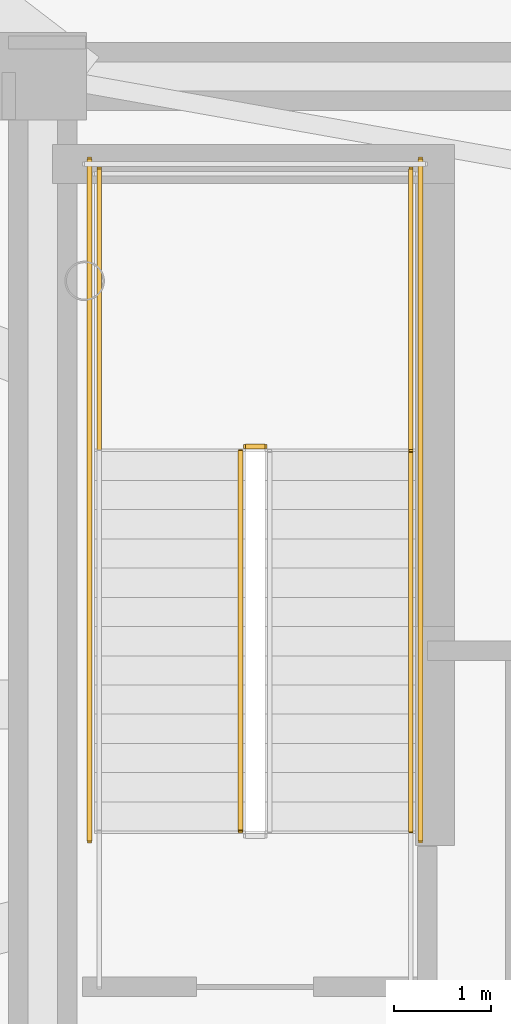
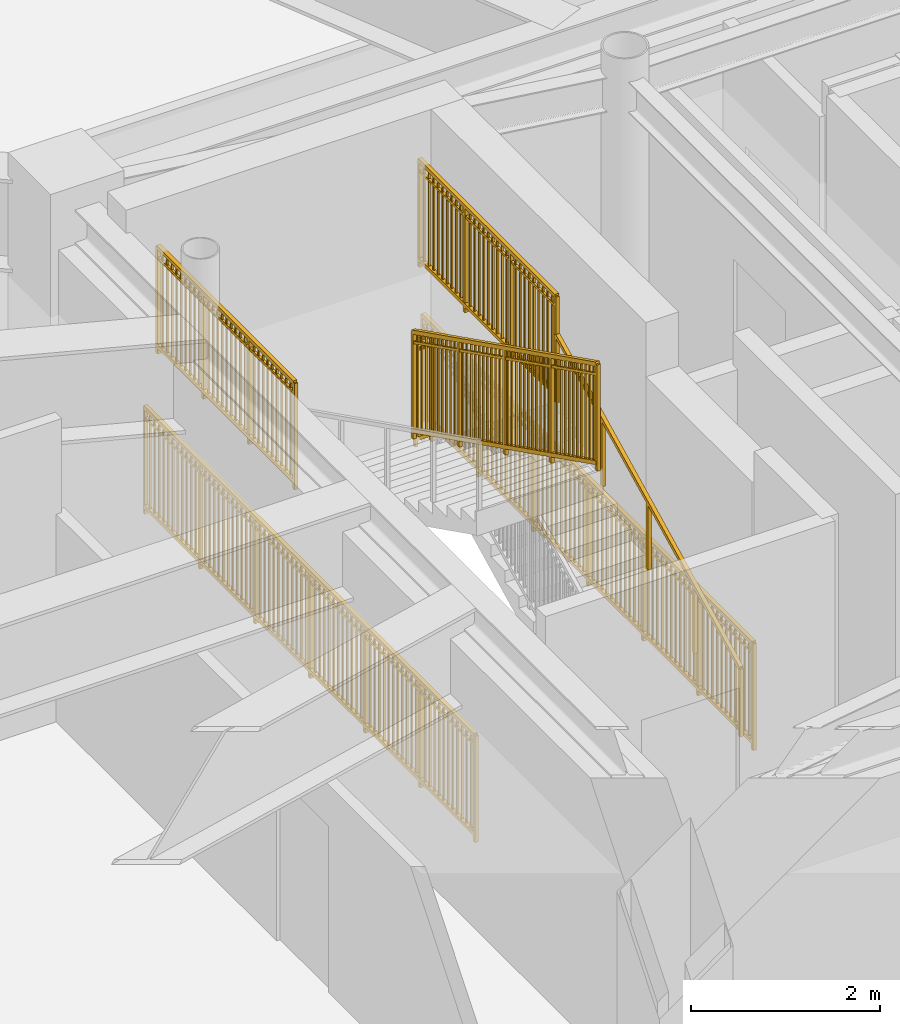
# One storey, part 24 of 26: 7 railings.
"""IFC4 building model written with IfcOpenShell, lengths in metres."""

import ifcopenshell
import ifcopenshell.guid

model = None  # the IFC model being written
_history = None  # IfcOwnerHistory: only IFC2X3 demands one
_inside = {}  # id of a spatial element -> (the spatial element, [elements in it])
_under = {}  # id of a project, library or spatial element -> (it, [spatial elements below it])
_declared = {}  # id of a project -> (the project, [libraries it declares])
_typed = {}  # id of a type object -> (the type object, [elements of that type])
_made_of = {}  # id of a material, layer set ... -> (it, [elements and type objects made of it])


def new_model(schema):
    """Start an empty IFC model of exactly this schema.

    Asked for "IFC4X3", IfcOpenShell would pick the latest addendum, in which some entities
    have other attributes; the version numbers below select the first issue.
    IFC2X3 requires an IfcOwnerHistory on every rooted entity: one is made here for all.
    """
    global model, _history
    if schema == "IFC4X3":
        model = ifcopenshell.file(schema_version=(4, 3, 0, 0))
    else:
        model = ifcopenshell.file(schema=schema)
    _inside.clear()
    _under.clear()
    _declared.clear()
    _typed.clear()
    _made_of.clear()
    _history = None
    if model.schema == "IFC2X3":
        org = make("IfcOrganization", Name="unknown")
        user = make(
            "IfcPersonAndOrganization",
            ThePerson=make("IfcPerson", FamilyName="unknown"),
            TheOrganization=org,
        )
        app = make(
            "IfcApplication",
            ApplicationDeveloper=org,
            Version="unknown",
            ApplicationFullName="unknown",
            ApplicationIdentifier="unknown",
        )
        _history = make(
            "IfcOwnerHistory",
            OwningUser=user,
            OwningApplication=app,
            ChangeAction="ADDED",
            CreationDate=0,
        )
    return model


def make(cls, **values):
    """One entity of the class cls with the attributes given. An attribute that is None is left unset."""
    return model.create_entity(
        cls, **{name: value for name, value in values.items() if value is not None}
    )


def rooted(cls, **values):
    """An entity with a GlobalId (a new one), such as an element, a storey or a relation."""
    return make(cls, GlobalId=ifcopenshell.guid.new(), OwnerHistory=_history, **values)


def si_unit(unit_type, name, prefix=None):
    """IfcSIUnit, for example si_unit("LENGTHUNIT", "METRE", prefix="MILLI")."""
    return make("IfcSIUnit", UnitType=unit_type, Prefix=prefix, Name=name)


def assignment(units):
    """IfcUnitAssignment: the units of a project."""
    return None if units is None else make("IfcUnitAssignment", Units=units)


def point(xyz):
    """IfcCartesianPoint."""
    return None if xyz is None else make("IfcCartesianPoint", Coordinates=xyz)


def direction(xyz):
    """IfcDirection."""
    return None if xyz is None else make("IfcDirection", DirectionRatios=xyz)


def frame(location, z_axis=None, x_axis=None):
    """IfcAxis2Placement3D, a coordinate frame: its origin and axes. An axis left out is left unset."""
    return make(
        "IfcAxis2Placement3D",
        Location=point(location),
        Axis=direction(z_axis),
        RefDirection=direction(x_axis),
    )


def frame_2d(location, x_axis=None):
    """IfcAxis2Placement2D, a coordinate frame in the plane: its origin and x axis."""
    return make(
        "IfcAxis2Placement2D", Location=point(location), RefDirection=direction(x_axis)
    )


def origin():
    """The frame at (0, 0, 0) with its axes left unset."""
    return frame((0.0, 0.0, 0.0))


def origin_2d():
    """The frame at (0, 0) in the plane with its x axis left unset."""
    return frame_2d((0.0, 0.0))


def place(relative_to, where):
    """IfcLocalPlacement: puts the frame where relative to a parent placement (None: the world)."""
    return make(
        "IfcLocalPlacement", PlacementRelTo=relative_to, RelativePlacement=where
    )


def context(
    kind, dimensions, precision=None, world=None, true_north=None, identifier=None
):
    """IfcGeometricRepresentationContext, for example the 3D "Model" context."""
    return make(
        "IfcGeometricRepresentationContext",
        ContextIdentifier=identifier,
        ContextType=kind,
        CoordinateSpaceDimension=dimensions,
        Precision=precision,
        WorldCoordinateSystem=world,
        TrueNorth=true_north,
    )


def subcontext(parent, identifier, kind, view, scale=None):
    """IfcGeometricRepresentationSubContext, for example "Body" below "Model"."""
    return make(
        "IfcGeometricRepresentationSubContext",
        ContextIdentifier=identifier,
        ContextType=kind,
        ParentContext=parent,
        TargetScale=scale,
        TargetView=view,
    )


def project(units=None, contexts=None):
    """IfcProject with its units and contexts."""
    return rooted(
        "IfcProject",
        Name="project",
        RepresentationContexts=contexts,
        UnitsInContext=assignment(units),
    )


def spatial(cls, under=None, at=None, **own):
    """A site, building, storey or space (cls), placed at a placement, below another one or the project."""
    s = rooted(cls, ObjectPlacement=at, **own)
    if under is not None:
        _under.setdefault(under.id(), (under, []))[1].append(s)
    return s


def profile(cls, at=None, kind="AREA", **sizes):
    """A parametric profile (cls). Its sizes go by their IFC names, for example OverallWidth=200.0."""
    return make(cls, ProfileType=kind, Position=at, **sizes)


def rectangle(**sizes):
    """IfcRectangleProfileDef."""
    return profile("IfcRectangleProfileDef", **sizes)


def extrude(swept, where, along, depth):
    """IfcExtrudedAreaSolid: the profile swept, set in the frame where, extruded along a direction by depth."""
    return make(
        "IfcExtrudedAreaSolid",
        SweptArea=swept,
        Position=where,
        ExtrudedDirection=direction(along),
        Depth=depth,
    )


def shape(context_of_items, identifier, shape_type, items):
    """IfcShapeRepresentation: the items that make up one representation, for example the "Body"."""
    return make(
        "IfcShapeRepresentation",
        ContextOfItems=context_of_items,
        RepresentationIdentifier=identifier,
        RepresentationType=shape_type,
        Items=items,
    )


def source(mapping_origin, context_of_items, identifier, shape_type, items):
    """IfcRepresentationMap: a shape defined once, which mapped items show again and again."""
    return make(
        "IfcRepresentationMap",
        MappingOrigin=mapping_origin,
        MappedRepresentation=shape(context_of_items, identifier, shape_type, items),
    )


def transform(
    local_origin,
    x_axis=None,
    y_axis=None,
    z_axis=None,
    scale=None,
    scale2=None,
    scale3=None,
    uniform=True,
):
    """IfcCartesianTransformationOperator3D, or its non-uniform kind. x_axis, y_axis, z_axis: its Axis1, 2, 3."""
    if uniform:
        return make(
            "IfcCartesianTransformationOperator3D",
            Axis1=direction(x_axis),
            Axis2=direction(y_axis),
            LocalOrigin=point(local_origin),
            Scale=scale,
            Axis3=direction(z_axis),
        )
    return make(
        "IfcCartesianTransformationOperator3DnonUniform",
        Axis1=direction(x_axis),
        Axis2=direction(y_axis),
        LocalOrigin=point(local_origin),
        Scale=scale,
        Axis3=direction(z_axis),
        Scale2=scale2,
        Scale3=scale3,
    )


def mapped(mapping_source, mapping_target):
    """IfcMappedItem: shows the shape of a source again, moved by a transform."""
    return make(
        "IfcMappedItem", MappingSource=mapping_source, MappingTarget=mapping_target
    )


def material(Name=None, Category=None):
    """IfcMaterial."""
    return make("IfcMaterial", Name=Name, Category=Category)


def made_of(thing, what):
    """Note that an element or type object is made of a material, layer set ...; save() writes the relation."""
    if what is not None:
        _made_of.setdefault(what.id(), (what, []))[1].append(thing)
    return thing


def type_object(cls, material=None, **own):
    """A type object (cls), such as IfcWallType, which elements share."""
    return made_of(rooted(cls, **own), material)


def element(
    cls,
    number,
    at=None,
    inside=None,
    cuts=None,
    type_object=None,
    material=None,
    context=None,
    identifier="Body",
    shape_type=None,
    held_by="IfcProductDefinitionShape",
    body=None,
    shapes=None,
    **own,
):
    """One element of the class cls, such as IfcWall. Its Tag is "e" and its number.

    at: its placement. inside: the storey or other place that contains it. cuts: it is an
    opening in that element (IfcRelVoidsElement). A single representation is given by context,
    identifier, shape_type and body (its items); several are given by shapes. held_by: the class
    of the entity that holds the representations. save() writes the other relations.
    """
    e = rooted(cls, Tag="e%d" % number, ObjectPlacement=at, **own)
    if body is not None:
        shapes = [shape(context, identifier, shape_type, body)]
    if shapes is not None:
        e.Representation = make(held_by, Representations=shapes)
    if inside is not None:
        _inside.setdefault(inside.id(), (inside, []))[1].append(e)
    if cuts is not None:
        rooted(
            "IfcRelVoidsElement", RelatingBuildingElement=cuts, RelatedOpeningElement=e
        )
    if type_object is not None:
        _typed.setdefault(type_object.id(), (type_object, []))[1].append(e)
    return made_of(e, material)


def aggregate(whole, parts):
    """IfcRelAggregates: a whole, such as a stair, and the parts it consists of."""
    return rooted("IfcRelAggregates", RelatingObject=whole, RelatedObjects=parts)


def save(model, path):
    """Write the relations noted so far, then the file.

    IfcRelAggregates (storeys below a building ...), IfcRelContainedInSpatialStructure (elements
    in a storey), IfcRelDefinesByType, IfcRelAssociatesMaterial and IfcRelDeclares: one each for
    every whole, place, type object, material and project.
    """
    for whole, parts in _under.values():
        aggregate(whole, parts)
    for where, things in _inside.values():
        rooted(
            "IfcRelContainedInSpatialStructure",
            RelatedElements=things,
            RelatingStructure=where,
        )
    for kind, things in _typed.values():
        rooted("IfcRelDefinesByType", RelatedObjects=things, RelatingType=kind)
    for what, things in _made_of.values():
        rooted("IfcRelAssociatesMaterial", RelatedObjects=things, RelatingMaterial=what)
    for by, libraries in _declared.values():
        rooted("IfcRelDeclares", RelatingContext=by, RelatedDefinitions=libraries)
    model.write(path)


model = new_model("IFC4")

# Units and contexts
model_context = context("Model", 3, precision=1e-05, world=origin(), true_north=direction((0.0, 1.0)))
body_context = subcontext(model_context, "Body", "Model", "MODEL_VIEW")
ifc_project = project(units=[si_unit("LENGTHUNIT", "METRE"), si_unit("AREAUNIT", "SQUARE_METRE"), si_unit("VOLUMEUNIT", "CUBIC_METRE"), si_unit("PLANEANGLEUNIT", "RADIAN"), si_unit("MASSUNIT", "GRAM", prefix="KILO")], contexts=[model_context])

# Site, building, storey
site_placement = place(None, origin())
site = spatial("IfcSite", under=ifc_project, at=site_placement, CompositionType="ELEMENT")
building_placement = place(site_placement, origin())
building = spatial("IfcBuilding", under=site, at=building_placement, Name="Linh Dai School and Residence Tower", CompositionType="ELEMENT")
storey_placement = place(building_placement, frame((0.0, 0.0, 346.800048828125)))
storey = spatial("IfcBuildingStorey", under=building, at=storey_placement, Name="L86", CompositionType="ELEMENT", Elevation=346.800048828125)

# Railings
ifc_material_1 = material(Name="Structural Steel S355JR", Category="steel")
railing_type_1 = type_object("IfcRailingType", Name="RL-ST-GUARD-1400", PredefinedType="GUARDRAIL", material=ifc_material_1)
shared_shape_1 = source(origin(), body_context, "Body", "SweptSolid", [
    extrude(rectangle(XDim=0.048095703125, YDim=0.048095703125, at=origin_2d()), frame((0.0, 0.0, 1.3759765625), z_axis=(-1.0, 0.0, 0.0), x_axis=(0.0, -1.0, 0.0)), (0.0, 0.0, 1.0), 0.199951171875),
    extrude(rectangle(XDim=0.048095703125, YDim=0.048095703125, at=origin_2d()), frame((0.0, 0.0, 0.10009765625), z_axis=(-1.0, 0.0, 0.0), x_axis=(0.0, -1.0, 0.0)), (0.0, 0.0, 1.0), 0.199951171875),
    extrude(rectangle(XDim=0.030029296875, YDim=0.030029296875, at=origin_2d()), frame((0.0, 0.0, 1.239990234375), z_axis=(-1.0, 0.0, 0.0), x_axis=(0.0, -1.0, 0.0)), (0.0, 0.0, 1.0), 0.199951171875),
    extrude(rectangle(XDim=0.0419921875, YDim=0.0419921875, at=origin_2d()), origin(), (0.0, 0.0, 1.0), 1.3759765625),
    extrude(rectangle(XDim=0.0419921875, YDim=0.0419921875, at=origin_2d()), frame((-0.199951171875, 0.0, 0.0)), (0.0, 0.0, 1.0), 1.3759765625),
])
railing_1_placement = place(storey_placement, frame((29.429931640625, 29.64990234375, 2.099853515625)))
element("IfcRailing", 1, at=railing_1_placement, inside=storey, type_object=railing_type_1, Name="L86 ST1 stair guard 2", PredefinedType="GUARDRAIL", context=body_context, shape_type="MappedRepresentation", body=[
    mapped(shared_shape_1, transform((0.0, 0.0, 0.0), x_axis=(1.0, 0.0, 0.0), y_axis=(0.0, 1.0, 0.0), z_axis=(0.0, 0.0, 1.0), scale=1.0)),
])
shared_shape_2 = source(origin(), body_context, "Body", "SweptSolid", [
    extrude(rectangle(XDim=0.048095703125, YDim=0.048095703125, at=origin_2d()), frame((0.0, 0.0, 1.3759765625), z_axis=(0.0, 1.0, 0.0), x_axis=(-1.0, 0.0, 0.0)), (0.0, 0.0, 1.0), 7.0),
    extrude(rectangle(XDim=0.048095703125, YDim=0.048095703125, at=origin_2d()), frame((0.0, 0.0, 0.10009765625), z_axis=(0.0, 1.0, 0.0), x_axis=(-1.0, 0.0, 0.0)), (0.0, 0.0, 1.0), 7.0),
    extrude(rectangle(XDim=0.030029296875, YDim=0.030029296875, at=origin_2d()), frame((0.0, 0.0, 1.239990234375), z_axis=(0.0, 1.0, 0.0), x_axis=(-1.0, 0.0, 0.0)), (0.0, 0.0, 1.0), 7.0),
    extrude(rectangle(XDim=0.02001953125, YDim=0.02001953125, at=origin_2d()), frame((0.0, 0.09716796875, 0.10009765625)), (0.0, 0.0, 1.0), 1.251708984375),
    extrude(rectangle(XDim=0.02001953125, YDim=0.02001953125, at=origin_2d()), frame((0.0, 0.1943359375, 0.10009765625)), (0.0, 0.0, 1.0), 1.251708984375),
    extrude(rectangle(XDim=0.02001953125, YDim=0.02001953125, at=origin_2d()), frame((0.0, 0.291748046875, 0.10009765625)), (0.0, 0.0, 1.0), 1.251708984375),
    extrude(rectangle(XDim=0.02001953125, YDim=0.02001953125, at=origin_2d()), frame((0.0, 0.388916015625, 0.10009765625)), (0.0, 0.0, 1.0), 1.251708984375),
    extrude(rectangle(XDim=0.02001953125, YDim=0.02001953125, at=origin_2d()), frame((0.0, 0.486083984375, 0.10009765625)), (0.0, 0.0, 1.0), 1.251708984375),
    extrude(rectangle(XDim=0.02001953125, YDim=0.02001953125, at=origin_2d()), frame((0.0, 0.583251953125, 0.10009765625)), (0.0, 0.0, 1.0), 1.251708984375),
    extrude(rectangle(XDim=0.02001953125, YDim=0.02001953125, at=origin_2d()), frame((0.0, 0.6806640625, 0.10009765625)), (0.0, 0.0, 1.0), 1.251708984375),
    extrude(rectangle(XDim=0.02001953125, YDim=0.02001953125, at=origin_2d()), frame((0.0, 0.77783203125, 0.10009765625)), (0.0, 0.0, 1.0), 1.251708984375),
    extrude(rectangle(XDim=0.02001953125, YDim=0.02001953125, at=origin_2d()), frame((0.0, 0.875, 0.10009765625)), (0.0, 0.0, 1.0), 1.251708984375),
    extrude(rectangle(XDim=0.02001953125, YDim=0.02001953125, at=origin_2d()), frame((0.0, 0.97216796875, 0.10009765625)), (0.0, 0.0, 1.0), 1.251708984375),
    extrude(rectangle(XDim=0.02001953125, YDim=0.02001953125, at=origin_2d()), frame((0.0, 1.0693359375, 0.10009765625)), (0.0, 0.0, 1.0), 1.251708984375),
    extrude(rectangle(XDim=0.02001953125, YDim=0.02001953125, at=origin_2d()), frame((0.0, 1.263916015625, 0.10009765625)), (0.0, 0.0, 1.0), 1.251708984375),
    extrude(rectangle(XDim=0.02001953125, YDim=0.02001953125, at=origin_2d()), frame((0.0, 1.361083984375, 0.10009765625)), (0.0, 0.0, 1.0), 1.251708984375),
    extrude(rectangle(XDim=0.02001953125, YDim=0.02001953125, at=origin_2d()), frame((0.0, 1.458251953125, 0.10009765625)), (0.0, 0.0, 1.0), 1.251708984375),
    extrude(rectangle(XDim=0.02001953125, YDim=0.02001953125, at=origin_2d()), frame((0.0, 1.5556640625, 0.10009765625)), (0.0, 0.0, 1.0), 1.251708984375),
    extrude(rectangle(XDim=0.02001953125, YDim=0.02001953125, at=origin_2d()), frame((0.0, 1.65283203125, 0.10009765625)), (0.0, 0.0, 1.0), 1.251708984375),
    extrude(rectangle(XDim=0.02001953125, YDim=0.02001953125, at=origin_2d()), frame((0.0, 1.75, 0.10009765625)), (0.0, 0.0, 1.0), 1.251708984375),
    extrude(rectangle(XDim=0.02001953125, YDim=0.02001953125, at=origin_2d()), frame((0.0, 1.84716796875, 0.10009765625)), (0.0, 0.0, 1.0), 1.251708984375),
    extrude(rectangle(XDim=0.02001953125, YDim=0.02001953125, at=origin_2d()), frame((0.0, 1.9443359375, 0.10009765625)), (0.0, 0.0, 1.0), 1.251708984375),
    extrude(rectangle(XDim=0.02001953125, YDim=0.02001953125, at=origin_2d()), frame((0.0, 2.041748046875, 0.10009765625)), (0.0, 0.0, 1.0), 1.251708984375),
    extrude(rectangle(XDim=0.02001953125, YDim=0.02001953125, at=origin_2d()), frame((0.0, 2.138916015625, 0.10009765625)), (0.0, 0.0, 1.0), 1.251708984375),
    extrude(rectangle(XDim=0.02001953125, YDim=0.02001953125, at=origin_2d()), frame((0.0, 2.236083984375, 0.10009765625)), (0.0, 0.0, 1.0), 1.251708984375),
    extrude(rectangle(XDim=0.02001953125, YDim=0.02001953125, at=origin_2d()), frame((0.0, 2.4306640625, 0.10009765625)), (0.0, 0.0, 1.0), 1.251708984375),
    extrude(rectangle(XDim=0.02001953125, YDim=0.02001953125, at=origin_2d()), frame((0.0, 2.52783203125, 0.10009765625)), (0.0, 0.0, 1.0), 1.251708984375),
    extrude(rectangle(XDim=0.02001953125, YDim=0.02001953125, at=origin_2d()), frame((0.0, 2.625, 0.10009765625)), (0.0, 0.0, 1.0), 1.251708984375),
    extrude(rectangle(XDim=0.02001953125, YDim=0.02001953125, at=origin_2d()), frame((0.0, 2.72216796875, 0.10009765625)), (0.0, 0.0, 1.0), 1.251708984375),
    extrude(rectangle(XDim=0.02001953125, YDim=0.02001953125, at=origin_2d()), frame((0.0, 2.8193359375, 0.10009765625)), (0.0, 0.0, 1.0), 1.251708984375),
    extrude(rectangle(XDim=0.02001953125, YDim=0.02001953125, at=origin_2d()), frame((0.0, 2.916748046875, 0.10009765625)), (0.0, 0.0, 1.0), 1.251708984375),
    extrude(rectangle(XDim=0.02001953125, YDim=0.02001953125, at=origin_2d()), frame((0.0, 3.013916015625, 0.10009765625)), (0.0, 0.0, 1.0), 1.251708984375),
    extrude(rectangle(XDim=0.02001953125, YDim=0.02001953125, at=origin_2d()), frame((0.0, 3.111083984375, 0.10009765625)), (0.0, 0.0, 1.0), 1.251708984375),
    extrude(rectangle(XDim=0.02001953125, YDim=0.02001953125, at=origin_2d()), frame((0.0, 3.208251953125, 0.10009765625)), (0.0, 0.0, 1.0), 1.251708984375),
    extrude(rectangle(XDim=0.02001953125, YDim=0.02001953125, at=origin_2d()), frame((0.0, 3.3056640625, 0.10009765625)), (0.0, 0.0, 1.0), 1.251708984375),
    extrude(rectangle(XDim=0.02001953125, YDim=0.02001953125, at=origin_2d()), frame((0.0, 3.40283203125, 0.10009765625)), (0.0, 0.0, 1.0), 1.251708984375),
    extrude(rectangle(XDim=0.02001953125, YDim=0.02001953125, at=origin_2d()), frame((0.0, 3.59716796875, 0.10009765625)), (0.0, 0.0, 1.0), 1.251708984375),
    extrude(rectangle(XDim=0.02001953125, YDim=0.02001953125, at=origin_2d()), frame((0.0, 3.6943359375, 0.10009765625)), (0.0, 0.0, 1.0), 1.251708984375),
    extrude(rectangle(XDim=0.02001953125, YDim=0.02001953125, at=origin_2d()), frame((0.0, 3.791748046875, 0.10009765625)), (0.0, 0.0, 1.0), 1.251708984375),
    extrude(rectangle(XDim=0.02001953125, YDim=0.02001953125, at=origin_2d()), frame((0.0, 3.888916015625, 0.10009765625)), (0.0, 0.0, 1.0), 1.251708984375),
    extrude(rectangle(XDim=0.02001953125, YDim=0.02001953125, at=origin_2d()), frame((0.0, 3.986083984375, 0.10009765625)), (0.0, 0.0, 1.0), 1.251708984375),
    extrude(rectangle(XDim=0.02001953125, YDim=0.02001953125, at=origin_2d()), frame((0.0, 4.083251953125, 0.10009765625)), (0.0, 0.0, 1.0), 1.251708984375),
    extrude(rectangle(XDim=0.02001953125, YDim=0.02001953125, at=origin_2d()), frame((0.0, 4.1806640625, 0.10009765625)), (0.0, 0.0, 1.0), 1.251708984375),
    extrude(rectangle(XDim=0.02001953125, YDim=0.02001953125, at=origin_2d()), frame((0.0, 4.27783203125, 0.10009765625)), (0.0, 0.0, 1.0), 1.251708984375),
    extrude(rectangle(XDim=0.02001953125, YDim=0.02001953125, at=origin_2d()), frame((0.0, 4.375, 0.10009765625)), (0.0, 0.0, 1.0), 1.251708984375),
    extrude(rectangle(XDim=0.02001953125, YDim=0.02001953125, at=origin_2d()), frame((0.0, 4.47216796875, 0.10009765625)), (0.0, 0.0, 1.0), 1.251708984375),
    extrude(rectangle(XDim=0.02001953125, YDim=0.02001953125, at=origin_2d()), frame((0.0, 4.5693359375, 0.10009765625)), (0.0, 0.0, 1.0), 1.251708984375),
    extrude(rectangle(XDim=0.02001953125, YDim=0.02001953125, at=origin_2d()), frame((0.0, 4.763916015625, 0.10009765625)), (0.0, 0.0, 1.0), 1.251708984375),
    extrude(rectangle(XDim=0.02001953125, YDim=0.02001953125, at=origin_2d()), frame((0.0, 4.861083984375, 0.10009765625)), (0.0, 0.0, 1.0), 1.251708984375),
    extrude(rectangle(XDim=0.02001953125, YDim=0.02001953125, at=origin_2d()), frame((0.0, 4.958251953125, 0.10009765625)), (0.0, 0.0, 1.0), 1.251708984375),
    extrude(rectangle(XDim=0.02001953125, YDim=0.02001953125, at=origin_2d()), frame((0.0, 5.0556640625, 0.10009765625)), (0.0, 0.0, 1.0), 1.251708984375),
    extrude(rectangle(XDim=0.02001953125, YDim=0.02001953125, at=origin_2d()), frame((0.0, 5.15283203125, 0.10009765625)), (0.0, 0.0, 1.0), 1.251708984375),
    extrude(rectangle(XDim=0.02001953125, YDim=0.02001953125, at=origin_2d()), frame((0.0, 5.25, 0.10009765625)), (0.0, 0.0, 1.0), 1.251708984375),
    extrude(rectangle(XDim=0.02001953125, YDim=0.02001953125, at=origin_2d()), frame((0.0, 5.34716796875, 0.10009765625)), (0.0, 0.0, 1.0), 1.251708984375),
    extrude(rectangle(XDim=0.02001953125, YDim=0.02001953125, at=origin_2d()), frame((0.0, 5.4443359375, 0.10009765625)), (0.0, 0.0, 1.0), 1.251708984375),
    extrude(rectangle(XDim=0.02001953125, YDim=0.02001953125, at=origin_2d()), frame((0.0, 5.541748046875, 0.10009765625)), (0.0, 0.0, 1.0), 1.251708984375),
    extrude(rectangle(XDim=0.02001953125, YDim=0.02001953125, at=origin_2d()), frame((0.0, 5.638916015625, 0.10009765625)), (0.0, 0.0, 1.0), 1.251708984375),
    extrude(rectangle(XDim=0.02001953125, YDim=0.02001953125, at=origin_2d()), frame((0.0, 5.736083984375, 0.10009765625)), (0.0, 0.0, 1.0), 1.251708984375),
    extrude(rectangle(XDim=0.02001953125, YDim=0.02001953125, at=origin_2d()), frame((0.0, 5.9306640625, 0.10009765625)), (0.0, 0.0, 1.0), 1.251708984375),
    extrude(rectangle(XDim=0.02001953125, YDim=0.02001953125, at=origin_2d()), frame((0.0, 6.02783203125, 0.10009765625)), (0.0, 0.0, 1.0), 1.251708984375),
    extrude(rectangle(XDim=0.02001953125, YDim=0.02001953125, at=origin_2d()), frame((0.0, 6.125, 0.10009765625)), (0.0, 0.0, 1.0), 1.251708984375),
    extrude(rectangle(XDim=0.02001953125, YDim=0.02001953125, at=origin_2d()), frame((0.0, 6.22216796875, 0.10009765625)), (0.0, 0.0, 1.0), 1.251708984375),
    extrude(rectangle(XDim=0.02001953125, YDim=0.02001953125, at=origin_2d()), frame((0.0, 6.3193359375, 0.10009765625)), (0.0, 0.0, 1.0), 1.251708984375),
    extrude(rectangle(XDim=0.02001953125, YDim=0.02001953125, at=origin_2d()), frame((0.0, 6.416748046875, 0.10009765625)), (0.0, 0.0, 1.0), 1.251708984375),
    extrude(rectangle(XDim=0.02001953125, YDim=0.02001953125, at=origin_2d()), frame((0.0, 6.513916015625, 0.10009765625)), (0.0, 0.0, 1.0), 1.251708984375),
    extrude(rectangle(XDim=0.02001953125, YDim=0.02001953125, at=origin_2d()), frame((0.0, 6.611083984375, 0.10009765625)), (0.0, 0.0, 1.0), 1.251708984375),
    extrude(rectangle(XDim=0.02001953125, YDim=0.02001953125, at=origin_2d()), frame((0.0, 6.708251953125, 0.10009765625)), (0.0, 0.0, 1.0), 1.251708984375),
    extrude(rectangle(XDim=0.02001953125, YDim=0.02001953125, at=origin_2d()), frame((0.0, 6.8056640625, 0.10009765625)), (0.0, 0.0, 1.0), 1.251708984375),
    extrude(rectangle(XDim=0.02001953125, YDim=0.02001953125, at=origin_2d()), frame((0.0, 6.90283203125, 0.10009765625)), (0.0, 0.0, 1.0), 1.251708984375),
    extrude(rectangle(XDim=0.0419921875, YDim=0.0419921875, at=origin_2d()), origin(), (0.0, 0.0, 1.0), 1.3759765625),
    extrude(rectangle(XDim=0.0419921875, YDim=0.0419921875, at=origin_2d()), frame((0.0, 1.166748046875, 0.0)), (0.0, 0.0, 1.0), 1.3759765625),
    extrude(rectangle(XDim=0.0419921875, YDim=0.0419921875, at=origin_2d()), frame((0.0, 2.333251953125, 0.0)), (0.0, 0.0, 1.0), 1.3759765625),
    extrude(rectangle(XDim=0.0419921875, YDim=0.0419921875, at=origin_2d()), frame((0.0, 3.5, 0.0)), (0.0, 0.0, 1.0), 1.3759765625),
    extrude(rectangle(XDim=0.0419921875, YDim=0.0419921875, at=origin_2d()), frame((0.0, 4.666748046875, 0.0)), (0.0, 0.0, 1.0), 1.3759765625),
    extrude(rectangle(XDim=0.0419921875, YDim=0.0419921875, at=origin_2d()), frame((0.0, 5.833251953125, 0.0)), (0.0, 0.0, 1.0), 1.3759765625),
    extrude(rectangle(XDim=0.0419921875, YDim=0.0419921875, at=origin_2d()), frame((0.0, 7.0, 0.0)), (0.0, 0.0, 1.0), 1.3759765625),
])
for number, where, name in (
    (2, (31.030029296875, 25.60009765625, 0.0), "L86 ST1 stair guard 10"),
    (3, (27.6298828125, 25.60009765625, 0.0), "L86 ST1 stair guard 11"),
):
    element("IfcRailing", number, at=place(storey_placement, frame(where)), inside=storey, type_object=railing_type_1, Name=name, PredefinedType="GUARDRAIL", context=body_context, shape_type="MappedRepresentation", body=[
        mapped(shared_shape_2, transform((0.0, 0.0, 0.0), x_axis=(1.0, 0.0, 0.0), y_axis=(0.0, 1.0, 0.0), z_axis=(0.0, 0.0, 1.0), scale=1.0)),
    ])
shared_shape_3 = source(origin(), body_context, "Body", "SweptSolid", [
    extrude(rectangle(XDim=0.048095703125, YDim=0.048095703125, at=origin_2d()), frame((0.0, 0.0, 1.3759765625), z_axis=(0.0, 1.0, 0.0), x_axis=(-1.0, 0.0, 0.0)), (0.0, 0.0, 1.0), 2.89990234375),
    extrude(rectangle(XDim=0.048095703125, YDim=0.048095703125, at=origin_2d()), frame((0.0, 0.0, 0.10009765625), z_axis=(0.0, 1.0, 0.0), x_axis=(-1.0, 0.0, 0.0)), (0.0, 0.0, 1.0), 2.89990234375),
    extrude(rectangle(XDim=0.030029296875, YDim=0.030029296875, at=origin_2d()), frame((0.0, 0.0, 1.239990234375), z_axis=(0.0, 1.0, 0.0), x_axis=(-1.0, 0.0, 0.0)), (0.0, 0.0, 1.0), 2.89990234375),
    extrude(rectangle(XDim=0.02001953125, YDim=0.02001953125, at=origin_2d()), frame((0.0, 0.0966796875, 0.10009765625)), (0.0, 0.0, 1.0), 1.251708984375),
    extrude(rectangle(XDim=0.02001953125, YDim=0.02001953125, at=origin_2d()), frame((0.0, 0.193359375, 0.10009765625)), (0.0, 0.0, 1.0), 1.251708984375),
    extrude(rectangle(XDim=0.02001953125, YDim=0.02001953125, at=origin_2d()), frame((0.0, 0.2900390625, 0.10009765625)), (0.0, 0.0, 1.0), 1.251708984375),
    extrude(rectangle(XDim=0.02001953125, YDim=0.02001953125, at=origin_2d()), frame((0.0, 0.38671875, 0.10009765625)), (0.0, 0.0, 1.0), 1.251708984375),
    extrude(rectangle(XDim=0.02001953125, YDim=0.02001953125, at=origin_2d()), frame((0.0, 0.4833984375, 0.10009765625)), (0.0, 0.0, 1.0), 1.251708984375),
    extrude(rectangle(XDim=0.02001953125, YDim=0.02001953125, at=origin_2d()), frame((0.0, 0.580078125, 0.10009765625)), (0.0, 0.0, 1.0), 1.251708984375),
    extrude(rectangle(XDim=0.02001953125, YDim=0.02001953125, at=origin_2d()), frame((0.0, 0.6767578125, 0.10009765625)), (0.0, 0.0, 1.0), 1.251708984375),
    extrude(rectangle(XDim=0.02001953125, YDim=0.02001953125, at=origin_2d()), frame((0.0, 0.773193359375, 0.10009765625)), (0.0, 0.0, 1.0), 1.251708984375),
    extrude(rectangle(XDim=0.02001953125, YDim=0.02001953125, at=origin_2d()), frame((0.0, 0.869873046875, 0.10009765625)), (0.0, 0.0, 1.0), 1.251708984375),
    extrude(rectangle(XDim=0.02001953125, YDim=0.02001953125, at=origin_2d()), frame((0.0, 1.063232421875, 0.10009765625)), (0.0, 0.0, 1.0), 1.251708984375),
    extrude(rectangle(XDim=0.02001953125, YDim=0.02001953125, at=origin_2d()), frame((0.0, 1.159912109375, 0.10009765625)), (0.0, 0.0, 1.0), 1.251708984375),
    extrude(rectangle(XDim=0.02001953125, YDim=0.02001953125, at=origin_2d()), frame((0.0, 1.256591796875, 0.10009765625)), (0.0, 0.0, 1.0), 1.251708984375),
    extrude(rectangle(XDim=0.02001953125, YDim=0.02001953125, at=origin_2d()), frame((0.0, 1.353271484375, 0.10009765625)), (0.0, 0.0, 1.0), 1.251708984375),
    extrude(rectangle(XDim=0.02001953125, YDim=0.02001953125, at=origin_2d()), frame((0.0, 1.449951171875, 0.10009765625)), (0.0, 0.0, 1.0), 1.251708984375),
    extrude(rectangle(XDim=0.02001953125, YDim=0.02001953125, at=origin_2d()), frame((0.0, 1.546630859375, 0.10009765625)), (0.0, 0.0, 1.0), 1.251708984375),
    extrude(rectangle(XDim=0.02001953125, YDim=0.02001953125, at=origin_2d()), frame((0.0, 1.643310546875, 0.10009765625)), (0.0, 0.0, 1.0), 1.251708984375),
    extrude(rectangle(XDim=0.02001953125, YDim=0.02001953125, at=origin_2d()), frame((0.0, 1.739990234375, 0.10009765625)), (0.0, 0.0, 1.0), 1.251708984375),
    extrude(rectangle(XDim=0.02001953125, YDim=0.02001953125, at=origin_2d()), frame((0.0, 1.836669921875, 0.10009765625)), (0.0, 0.0, 1.0), 1.251708984375),
    extrude(rectangle(XDim=0.02001953125, YDim=0.02001953125, at=origin_2d()), frame((0.0, 2.030029296875, 0.10009765625)), (0.0, 0.0, 1.0), 1.251708984375),
    extrude(rectangle(XDim=0.02001953125, YDim=0.02001953125, at=origin_2d()), frame((0.0, 2.126708984375, 0.10009765625)), (0.0, 0.0, 1.0), 1.251708984375),
    extrude(rectangle(XDim=0.02001953125, YDim=0.02001953125, at=origin_2d()), frame((0.0, 2.22314453125, 0.10009765625)), (0.0, 0.0, 1.0), 1.251708984375),
    extrude(rectangle(XDim=0.02001953125, YDim=0.02001953125, at=origin_2d()), frame((0.0, 2.31982421875, 0.10009765625)), (0.0, 0.0, 1.0), 1.251708984375),
    extrude(rectangle(XDim=0.02001953125, YDim=0.02001953125, at=origin_2d()), frame((0.0, 2.41650390625, 0.10009765625)), (0.0, 0.0, 1.0), 1.251708984375),
    extrude(rectangle(XDim=0.02001953125, YDim=0.02001953125, at=origin_2d()), frame((0.0, 2.51318359375, 0.10009765625)), (0.0, 0.0, 1.0), 1.251708984375),
    extrude(rectangle(XDim=0.02001953125, YDim=0.02001953125, at=origin_2d()), frame((0.0, 2.60986328125, 0.10009765625)), (0.0, 0.0, 1.0), 1.251708984375),
    extrude(rectangle(XDim=0.02001953125, YDim=0.02001953125, at=origin_2d()), frame((0.0, 2.70654296875, 0.10009765625)), (0.0, 0.0, 1.0), 1.251708984375),
    extrude(rectangle(XDim=0.02001953125, YDim=0.02001953125, at=origin_2d()), frame((0.0, 2.80322265625, 0.10009765625)), (0.0, 0.0, 1.0), 1.251708984375),
    extrude(rectangle(XDim=0.0419921875, YDim=0.0419921875, at=origin_2d()), origin(), (0.0, 0.0, 1.0), 1.3759765625),
    extrude(rectangle(XDim=0.0419921875, YDim=0.0419921875, at=origin_2d()), frame((0.0, 0.966552734375, 0.0)), (0.0, 0.0, 1.0), 1.3759765625),
    extrude(rectangle(XDim=0.0419921875, YDim=0.0419921875, at=origin_2d()), frame((0.0, 1.933349609375, 0.0)), (0.0, 0.0, 1.0), 1.3759765625),
    extrude(rectangle(XDim=0.0419921875, YDim=0.0419921875, at=origin_2d()), frame((0.0, 2.89990234375, 0.0)), (0.0, 0.0, 1.0), 1.3759765625),
])
for number, where, name in (
    (4, (30.929931640625, 29.60009765625, 2.099853515625), "L86 ST1 stair guard 3"),
    (5, (27.72998046875, 29.60009765625, 2.099853515625), "L86 ST1 stair guard 4"),
):
    element("IfcRailing", number, at=place(storey_placement, frame(where)), inside=storey, type_object=railing_type_1, Name=name, PredefinedType="GUARDRAIL", context=body_context, shape_type="MappedRepresentation", body=[
        mapped(shared_shape_3, transform((0.0, 0.0, 0.0), x_axis=(1.0, 0.0, 0.0), y_axis=(0.0, 1.0, 0.0), z_axis=(0.0, 0.0, 1.0), scale=1.0)),
    ])
shared_shape_4 = source(origin(), body_context, "Body", "SweptSolid", [
    extrude(rectangle(XDim=0.048095703125, YDim=0.048095703125, at=origin_2d()), frame((0.0, 0.0, 1.3759765625), z_axis=(0.0, -0.894438388696, 0.447191199406), x_axis=(1.0, 0.0, 0.0)), (0.0, 0.0, 1.0), 4.3603515625),
    extrude(rectangle(XDim=0.048095703125, YDim=0.048095703125, at=origin_2d()), frame((0.0, 0.0, 0.10009765625), z_axis=(0.0, -0.894438388696, 0.447191199406), x_axis=(1.0, 0.0, 0.0)), (0.0, 0.0, 1.0), 4.3603515625),
    extrude(rectangle(XDim=0.030029296875, YDim=0.030029296875, at=origin_2d()), frame((0.0, 0.0, 1.239990234375), z_axis=(0.0, -0.894438388696, 0.447191199406), x_axis=(1.0, 0.0, 0.0)), (0.0, 0.0, 1.0), 4.3603515625),
    extrude(rectangle(XDim=0.02001953125, YDim=0.02001953125, at=origin_2d()), frame((0.0, -0.086669921875, 0.143310546875)), (0.0, 0.0, 1.0), 1.251708984375),
    extrude(rectangle(XDim=0.02001953125, YDim=0.02001953125, at=origin_2d()), frame((0.0, -0.17333984375, 0.186767578125)), (0.0, 0.0, 1.0), 1.251708984375),
    extrude(rectangle(XDim=0.02001953125, YDim=0.02001953125, at=origin_2d()), frame((0.0, -0.260009765625, 0.22998046875)), (0.0, 0.0, 1.0), 1.251708984375),
    extrude(rectangle(XDim=0.02001953125, YDim=0.02001953125, at=origin_2d()), frame((0.0, -0.3466796875, 0.2734375)), (0.0, 0.0, 1.0), 1.251708984375),
    extrude(rectangle(XDim=0.02001953125, YDim=0.02001953125, at=origin_2d()), frame((0.0, -0.433349609375, 0.316650390625)), (0.0, 0.0, 1.0), 1.251708984375),
    extrude(rectangle(XDim=0.02001953125, YDim=0.02001953125, at=origin_2d()), frame((0.0, -0.52001953125, 0.360107421875)), (0.0, 0.0, 1.0), 1.251708984375),
    extrude(rectangle(XDim=0.02001953125, YDim=0.02001953125, at=origin_2d()), frame((0.0, -0.606689453125, 0.4033203125)), (0.0, 0.0, 1.0), 1.251708984375),
    extrude(rectangle(XDim=0.02001953125, YDim=0.02001953125, at=origin_2d()), frame((0.0, -0.693359375, 0.44677734375)), (0.0, 0.0, 1.0), 1.251708984375),
    extrude(rectangle(XDim=0.02001953125, YDim=0.02001953125, at=origin_2d()), frame((0.0, -0.780029296875, 0.489990234375)), (0.0, 0.0, 1.0), 1.251708984375),
    extrude(rectangle(XDim=0.02001953125, YDim=0.02001953125, at=origin_2d()), frame((0.0, -0.86669921875, 0.533447265625)), (0.0, 0.0, 1.0), 1.251708984375),
    extrude(rectangle(XDim=0.02001953125, YDim=0.02001953125, at=origin_2d()), frame((0.0, -1.0400390625, 0.6201171875)), (0.0, 0.0, 1.0), 1.251708984375),
    extrude(rectangle(XDim=0.02001953125, YDim=0.02001953125, at=origin_2d()), frame((0.0, -1.126708984375, 0.663330078125)), (0.0, 0.0, 1.0), 1.251708984375),
    extrude(rectangle(XDim=0.02001953125, YDim=0.02001953125, at=origin_2d()), frame((0.0, -1.21337890625, 0.706787109375)), (0.0, 0.0, 1.0), 1.251708984375),
    extrude(rectangle(XDim=0.02001953125, YDim=0.02001953125, at=origin_2d()), frame((0.0, -1.300048828125, 0.75)), (0.0, 0.0, 1.0), 1.251708984375),
    extrude(rectangle(XDim=0.02001953125, YDim=0.02001953125, at=origin_2d()), frame((0.0, -1.38671875, 0.79345703125)), (0.0, 0.0, 1.0), 1.251708984375),
    extrude(rectangle(XDim=0.02001953125, YDim=0.02001953125, at=origin_2d()), frame((0.0, -1.473388671875, 0.836669921875)), (0.0, 0.0, 1.0), 1.251708984375),
    extrude(rectangle(XDim=0.02001953125, YDim=0.02001953125, at=origin_2d()), frame((0.0, -1.56005859375, 0.880126953125)), (0.0, 0.0, 1.0), 1.251708984375),
    extrude(rectangle(XDim=0.02001953125, YDim=0.02001953125, at=origin_2d()), frame((0.0, -1.646728515625, 0.92333984375)), (0.0, 0.0, 1.0), 1.251708984375),
    extrude(rectangle(XDim=0.02001953125, YDim=0.02001953125, at=origin_2d()), frame((0.0, -1.7333984375, 0.966796875)), (0.0, 0.0, 1.0), 1.251708984375),
    extrude(rectangle(XDim=0.02001953125, YDim=0.02001953125, at=origin_2d()), frame((0.0, -1.820068359375, 1.010009765625)), (0.0, 0.0, 1.0), 1.251708984375),
    extrude(rectangle(XDim=0.02001953125, YDim=0.02001953125, at=origin_2d()), frame((0.0, -1.90673828125, 1.053466796875)), (0.0, 0.0, 1.0), 1.251708984375),
    extrude(rectangle(XDim=0.02001953125, YDim=0.02001953125, at=origin_2d()), frame((0.0, -1.993408203125, 1.0966796875)), (0.0, 0.0, 1.0), 1.251708984375),
    extrude(rectangle(XDim=0.02001953125, YDim=0.02001953125, at=origin_2d()), frame((0.0, -2.080078125, 1.14013671875)), (0.0, 0.0, 1.0), 1.251708984375),
    extrude(rectangle(XDim=0.02001953125, YDim=0.02001953125, at=origin_2d()), frame((0.0, -2.166748046875, 1.183349609375)), (0.0, 0.0, 1.0), 1.251708984375),
    extrude(rectangle(XDim=0.02001953125, YDim=0.02001953125, at=origin_2d()), frame((0.0, -2.25341796875, 1.226806640625)), (0.0, 0.0, 1.0), 1.251708984375),
    extrude(rectangle(XDim=0.02001953125, YDim=0.02001953125, at=origin_2d()), frame((0.0, -2.340087890625, 1.27001953125)), (0.0, 0.0, 1.0), 1.251708984375),
    extrude(rectangle(XDim=0.02001953125, YDim=0.02001953125, at=origin_2d()), frame((0.0, -2.4267578125, 1.3134765625)), (0.0, 0.0, 1.0), 1.251708984375),
    extrude(rectangle(XDim=0.02001953125, YDim=0.02001953125, at=origin_2d()), frame((0.0, -2.513427734375, 1.356689453125)), (0.0, 0.0, 1.0), 1.251708984375),
    extrude(rectangle(XDim=0.02001953125, YDim=0.02001953125, at=origin_2d()), frame((0.0, -2.60009765625, 1.400146484375)), (0.0, 0.0, 1.0), 1.251708984375),
    extrude(rectangle(XDim=0.02001953125, YDim=0.02001953125, at=origin_2d()), frame((0.0, -2.686767578125, 1.443359375)), (0.0, 0.0, 1.0), 1.251708984375),
    extrude(rectangle(XDim=0.02001953125, YDim=0.02001953125, at=origin_2d()), frame((0.0, -2.7734375, 1.48681640625)), (0.0, 0.0, 1.0), 1.251708984375),
    extrude(rectangle(XDim=0.02001953125, YDim=0.02001953125, at=origin_2d()), frame((0.0, -2.860107421875, 1.530029296875)), (0.0, 0.0, 1.0), 1.251708984375),
    extrude(rectangle(XDim=0.02001953125, YDim=0.02001953125, at=origin_2d()), frame((0.0, -3.033447265625, 1.61669921875)), (0.0, 0.0, 1.0), 1.251708984375),
    extrude(rectangle(XDim=0.02001953125, YDim=0.02001953125, at=origin_2d()), frame((0.0, -3.1201171875, 1.66015625)), (0.0, 0.0, 1.0), 1.251708984375),
    extrude(rectangle(XDim=0.02001953125, YDim=0.02001953125, at=origin_2d()), frame((0.0, -3.206787109375, 1.703369140625)), (0.0, 0.0, 1.0), 1.251708984375),
    extrude(rectangle(XDim=0.02001953125, YDim=0.02001953125, at=origin_2d()), frame((0.0, -3.29345703125, 1.746826171875)), (0.0, 0.0, 1.0), 1.251708984375),
    extrude(rectangle(XDim=0.02001953125, YDim=0.02001953125, at=origin_2d()), frame((0.0, -3.380126953125, 1.7900390625)), (0.0, 0.0, 1.0), 1.251708984375),
    extrude(rectangle(XDim=0.02001953125, YDim=0.02001953125, at=origin_2d()), frame((0.0, -3.466796875, 1.83349609375)), (0.0, 0.0, 1.0), 1.251708984375),
    extrude(rectangle(XDim=0.02001953125, YDim=0.02001953125, at=origin_2d()), frame((0.0, -3.553466796875, 1.876708984375)), (0.0, 0.0, 1.0), 1.251708984375),
    extrude(rectangle(XDim=0.02001953125, YDim=0.02001953125, at=origin_2d()), frame((0.0, -3.64013671875, 1.920166015625)), (0.0, 0.0, 1.0), 1.251708984375),
    extrude(rectangle(XDim=0.02001953125, YDim=0.02001953125, at=origin_2d()), frame((0.0, -3.726806640625, 1.96337890625)), (0.0, 0.0, 1.0), 1.251708984375),
    extrude(rectangle(XDim=0.02001953125, YDim=0.02001953125, at=origin_2d()), frame((0.0, -3.8134765625, 2.0068359375)), (0.0, 0.0, 1.0), 1.251708984375),
    extrude(rectangle(XDim=0.0419921875, YDim=0.0419921875, at=origin_2d()), origin(), (0.0, 0.0, 1.0), 1.3759765625),
    extrude(rectangle(XDim=0.0419921875, YDim=0.0419921875, at=origin_2d()), frame((0.0, -0.97509765625, 0.487548828125)), (0.0, 0.0, 1.0), 1.3759765625),
    extrude(rectangle(XDim=0.0419921875, YDim=0.0419921875, at=origin_2d()), frame((0.0, -1.9501953125, 0.97509765625)), (0.0, 0.0, 1.0), 1.3759765625),
    extrude(rectangle(XDim=0.0419921875, YDim=0.0419921875, at=origin_2d()), frame((0.0, -2.925048828125, 1.46240234375)), (0.0, 0.0, 1.0), 1.3759765625),
    extrude(rectangle(XDim=0.0419921875, YDim=0.0419921875, at=origin_2d()), frame((0.0, -3.900146484375, 1.949951171875)), (0.0, 0.0, 1.0), 1.3759765625),
])
railing_2_placement = place(storey_placement, frame((29.179931640625, 29.60009765625, 2.25)))
element("IfcRailing", 6, at=railing_2_placement, inside=storey, type_object=railing_type_1, Name="L86 ST1 stair guard 6", PredefinedType="GUARDRAIL", context=body_context, shape_type="MappedRepresentation", body=[
    mapped(shared_shape_4, transform((0.0, 0.0, 0.0), x_axis=(1.0, 0.0, 0.0), y_axis=(0.0, 1.0, 0.0), z_axis=(0.0, 0.0, 1.0), scale=1.0)),
])
ifc_material_2 = material(Name="Brushed Stainless Steel Handrail", Category="steel")
railing_type_2 = type_object("IfcRailingType", Name="RL-ST-HANDRAIL-900", PredefinedType="HANDRAIL", material=ifc_material_2)
shared_shape_5 = source(origin(), body_context, "Body", "SweptSolid", [
    extrude(rectangle(XDim=0.048095703125, YDim=0.048095703125, at=origin_2d()), frame((0.0, 0.0, 0.8759765625), z_axis=(0.0, 0.894438388696, 0.447191199406), x_axis=(-1.0, 0.0, 0.0)), (0.0, 0.0, 1.0), 4.3603515625),
    extrude(rectangle(XDim=0.0419921875, YDim=0.0419921875, at=origin_2d()), origin(), (0.0, 0.0, 1.0), 0.8759765625),
    extrude(rectangle(XDim=0.0419921875, YDim=0.0419921875, at=origin_2d()), frame((0.0, 0.97509765625, 0.487548828125)), (0.0, 0.0, 1.0), 0.8759765625),
    extrude(rectangle(XDim=0.0419921875, YDim=0.0419921875, at=origin_2d()), frame((0.0, 1.9501953125, 0.97509765625)), (0.0, 0.0, 1.0), 0.8759765625),
    extrude(rectangle(XDim=0.0419921875, YDim=0.0419921875, at=origin_2d()), frame((0.0, 2.925048828125, 1.46240234375)), (0.0, 0.0, 1.0), 0.8759765625),
    extrude(rectangle(XDim=0.0419921875, YDim=0.0419921875, at=origin_2d()), frame((0.0, 3.900146484375, 1.949951171875)), (0.0, 0.0, 1.0), 0.8759765625),
])
railing_3_placement = place(storey_placement, frame((30.929931640625, 25.699951171875, 0.14990234375)))
element("IfcRailing", 7, at=railing_3_placement, inside=storey, type_object=railing_type_2, Name="L86 ST1 stair handrail 1", PredefinedType="HANDRAIL", context=body_context, shape_type="MappedRepresentation", body=[
    mapped(shared_shape_5, transform((0.0, 0.0, 0.0), x_axis=(1.0, 0.0, 0.0), y_axis=(0.0, 1.0, 0.0), z_axis=(0.0, 0.0, 1.0), scale=1.0)),
])

save(model, "model.ifc")
